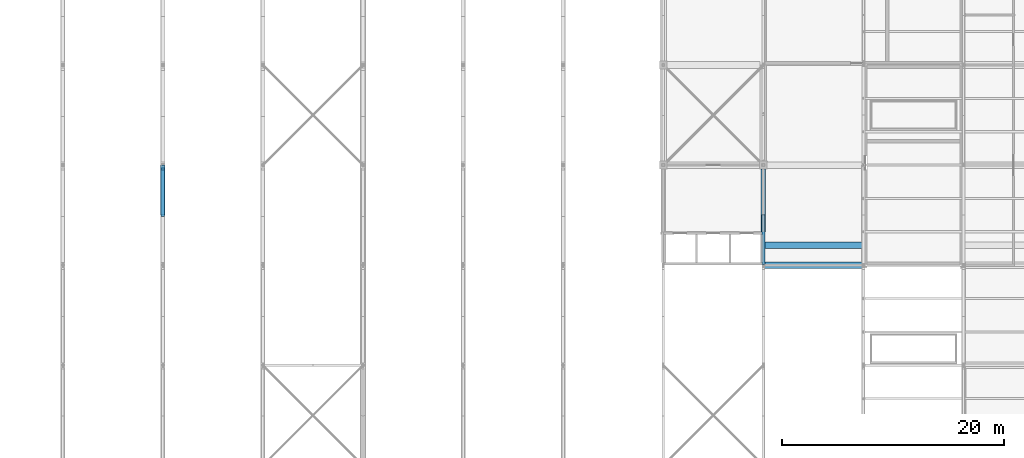
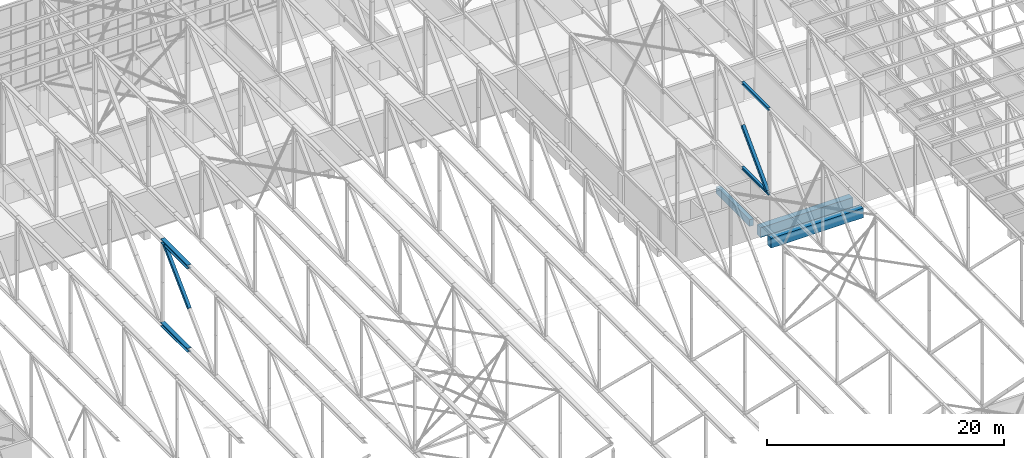
# One storey, part 75 of 646: 6 members, 3 beams.
"""IFC4 building model written with IfcOpenShell, lengths in metres."""

from ifc_helpers import new_model, si_unit, direction, frame, origin, origin_2d, place, context, subcontext, project, spatial, rectangle, hollow_rectangle, i_section, extrude, material, material_profile, profile_set, type_object, element, save


model = new_model("IFC4")

# Units and contexts
model_context = context("Model", 3, precision=1e-05, world=origin(), true_north=direction((0.0, 1.0)))
body_context = subcontext(model_context, "Body", "Model", "MODEL_VIEW")
ifc_project = project(units=[si_unit("LENGTHUNIT", "METRE"), si_unit("AREAUNIT", "SQUARE_METRE"), si_unit("VOLUMEUNIT", "CUBIC_METRE"), si_unit("PLANEANGLEUNIT", "RADIAN"), si_unit("MASSUNIT", "GRAM", prefix="KILO")], contexts=[model_context])

# Site, building, storey
site_placement = place(None, origin())
site = spatial("IfcSite", under=ifc_project, at=site_placement, CompositionType="ELEMENT")
building_placement = place(site_placement, origin())
building = spatial("IfcBuilding", under=site, at=building_placement, Name="Silverbay Arena", CompositionType="ELEMENT")
storey_placement = place(building_placement, frame((0.0, 0.0, 33.5)))
storey = spatial("IfcBuildingStorey", under=building, at=storey_placement, Name="L05", CompositionType="ELEMENT", Elevation=33.5)

# Members
ifc_material_1 = material(Name="Steel S355", Category="steel")
ifc_material_profile_1 = material_profile(ifc_material_1, i_section(OverallWidth=0.403076171875, OverallDepth=0.406494140625, WebThickness=0.026611328125, FlangeThickness=0.04296875, at=origin_2d()), Name="UC 356x406x340")
ifc_profile_set_1 = profile_set([ifc_material_profile_1], Name="Steel S355")
member_type_1 = type_object("IfcMemberType", Name="Main-span bottom chord UC 356x406x340", PredefinedType="CHORD", material=ifc_profile_set_1)
member_1_placement = place(storey_placement, frame((117.0, 103.5, 4.203125), z_axis=(0.0, 1.0, 0.0), x_axis=(-1.0, 0.0, 0.0)))
element("IfcMember", 1, at=member_1_placement, inside=storey, type_object=member_type_1, Name="ROOF TRUSS 14 bottom chord 11b", PredefinedType="CHORD", context=body_context, shape_type="SweptSolid", body=[
    extrude(i_section(OverallWidth=0.403076171875, OverallDepth=0.406494140625, WebThickness=0.026611328125, FlangeThickness=0.04296875, at=origin_2d()), origin(), (0.0, 0.0, 1.0), 4.5),
])
ifc_material_2 = material(Name="Steel S355", Category="steel")
ifc_material_profile_2 = material_profile(ifc_material_2, i_section(OverallWidth=0.403076171875, OverallDepth=0.406494140625, WebThickness=0.026611328125, FlangeThickness=0.04296875, at=origin_2d()), Name="UC 356x406x340")
ifc_profile_set_2 = profile_set([ifc_material_profile_2], Name="Steel S355")
member_type_2 = type_object("IfcMemberType", Name="Main-span top chord UC 356x406x340", PredefinedType="CHORD", material=ifc_profile_set_2)
member_2_placement = place(storey_placement, frame((117.0, 103.5, 12.796875), z_axis=(0.0, 1.0, 0.0), x_axis=(-1.0, 0.0, 0.0)))
element("IfcMember", 2, at=member_2_placement, inside=storey, type_object=member_type_2, Name="ROOF TRUSS 14 top chord 11b", PredefinedType="CHORD", context=body_context, shape_type="SweptSolid", body=[
    extrude(i_section(OverallWidth=0.403076171875, OverallDepth=0.406494140625, WebThickness=0.026611328125, FlangeThickness=0.04296875, at=origin_2d()), origin(), (0.0, 0.0, 1.0), 4.5),
])
ifc_material_3 = material(Name="Steel S355", Category="steel")
ifc_material_profile_3 = material_profile(ifc_material_3, hollow_rectangle(XDim=0.300048828125, YDim=0.300048828125, WallThickness=0.012451171875, at=origin_2d()), Name="SHS 300x300x12.5")
ifc_profile_set_3 = profile_set([ifc_material_profile_3], Name="Steel S355")
member_type_3 = type_object("IfcMemberType", Name="Main-span truss diagonal SHS 300x300x12.5", PredefinedType="BRACE", material=ifc_profile_set_3)
member_3_placement = place(storey_placement, frame((117.0, 107.652099609375, 12.593505859375), z_axis=(0.0, -0.712752446816, -0.701415675301), x_axis=(1.0, 0.0, 0.0)))
element("IfcMember", 3, at=member_3_placement, inside=storey, type_object=member_type_3, Name="ROOF TRUSS 14 diagonal 11a", PredefinedType="BRACE", context=body_context, shape_type="SweptSolid", body=[
    extrude(hollow_rectangle(XDim=0.300048828125, YDim=0.300048828125, WallThickness=0.012451171875, at=origin_2d()), origin(), (0.0, 0.0, 1.0), 5.836181640625),
])
ifc_material_4 = material(Name="Steel S355", Category="steel")
ifc_material_profile_4 = material_profile(ifc_material_4, i_section(OverallWidth=0.254638671875, OverallDepth=0.254150390625, WebThickness=0.008544921875, FlangeThickness=0.01416015625, at=origin_2d()), Name="UC 254x254x73")
ifc_profile_set_4 = profile_set([ifc_material_profile_4], Name="Steel S355")
member_type_4 = type_object("IfcMemberType", Name="Medium-span bottom chord UC 254x254x73", PredefinedType="CHORD", material=ifc_profile_set_4)
member_4_placement = place(storey_placement, frame((171.0, 99.0, 4.126953125), z_axis=(0.0, 1.0, 0.0), x_axis=(-1.0, 0.0, 0.0)))
element("IfcMember", 4, at=member_4_placement, inside=storey, type_object=member_type_4, Name="ROOF TRUSS 20 bottom chord 11a", PredefinedType="CHORD", context=body_context, shape_type="SweptSolid", body=[
    extrude(i_section(OverallWidth=0.254638671875, OverallDepth=0.254150390625, WebThickness=0.008544921875, FlangeThickness=0.01416015625, at=origin_2d()), origin(), (0.0, 0.0, 1.0), 4.5),
])
ifc_material_5 = material(Name="Steel S355", Category="steel")
ifc_material_profile_5 = material_profile(ifc_material_5, i_section(OverallWidth=0.254638671875, OverallDepth=0.254150390625, WebThickness=0.008544921875, FlangeThickness=0.01416015625, at=origin_2d()), Name="UC 254x254x73")
ifc_profile_set_5 = profile_set([ifc_material_profile_5], Name="Steel S355")
member_type_5 = type_object("IfcMemberType", Name="Medium-span top chord UC 254x254x73", PredefinedType="CHORD", material=ifc_profile_set_5)
member_5_placement = place(storey_placement, frame((171.0, 99.0, 12.873046875), z_axis=(0.0, 1.0, 0.0), x_axis=(-1.0, 0.0, 0.0)))
element("IfcMember", 5, at=member_5_placement, inside=storey, type_object=member_type_5, Name="ROOF TRUSS 20 top chord 11a", PredefinedType="CHORD", context=body_context, shape_type="SweptSolid", body=[
    extrude(i_section(OverallWidth=0.254638671875, OverallDepth=0.254150390625, WebThickness=0.008544921875, FlangeThickness=0.01416015625, at=origin_2d()), origin(), (0.0, 0.0, 1.0), 4.5),
])
ifc_material_6 = material(Name="Steel S355", Category="steel")
ifc_material_profile_6 = material_profile(ifc_material_6, hollow_rectangle(XDim=0.300048828125, YDim=0.300048828125, WallThickness=0.012451171875, at=origin_2d()), Name="SHS 300x300x12.5")
ifc_profile_set_6 = profile_set([ifc_material_profile_6], Name="Steel S355")
member_type_6 = type_object("IfcMemberType", Name="Medium-span truss diagonal SHS 300x300x12.5", PredefinedType="BRACE", material=ifc_profile_set_6)
member_6_placement = place(storey_placement, frame((171.0, 103.492431640625, 8.5), z_axis=(0.0, -0.700176070598, -0.713970216579), x_axis=(1.0, 0.0, 0.0)))
element("IfcMember", 6, at=member_6_placement, inside=storey, type_object=member_type_6, Name="ROOF TRUSS 20 diagonal 11b", PredefinedType="BRACE", context=body_context, shape_type="SweptSolid", body=[
    extrude(hollow_rectangle(XDim=0.300048828125, YDim=0.300048828125, WallThickness=0.012451171875, at=origin_2d()), origin(), (0.0, 0.0, 1.0), 5.94677734375),
])

# Beams
ifc_material_7 = material(Name="Concrete Grade C45", Category="concrete")
ifc_material_profile_7 = material_profile(ifc_material_7, rectangle(XDim=0.39990234375, YDim=0.699951171875, at=origin_2d()), Name="RC 400x700")
ifc_profile_set_7 = profile_set([ifc_material_profile_7], Name="Concrete Grade C45")
beam_type_1 = type_object("IfcBeamType", Name="RC beam 400x700", PredefinedType="BEAM", material=ifc_profile_set_7)
beam_placement = place(storey_placement, frame((171.0, 102.0, -0.64990234375), z_axis=(0.0, 1.0, 0.0), x_axis=(-1.0, 0.0, 0.0)))
element("IfcBeam", 7, at=beam_placement, inside=storey, type_object=beam_type_1, Name="Floor beam L05 134", PredefinedType="BEAM", context=body_context, shape_type="SweptSolid", body=[
    extrude(rectangle(XDim=0.39990234375, YDim=0.699951171875, at=origin_2d()), origin(), (0.0, 0.0, 1.0), 5.64990234375),
])
ifc_material_8 = material(Name="Concrete Grade C45", Category="concrete")
ifc_material_profile_8 = material_profile(ifc_material_8, rectangle(XDim=0.60009765625, YDim=1.0, at=origin_2d()), Name="RC 600x1000")
ifc_profile_set_8 = profile_set([ifc_material_profile_8], Name="Concrete Grade C45")
beam_type_2 = type_object("IfcBeamType", Name="RC beam 600x1000", PredefinedType="BEAM", material=ifc_profile_set_8)
for number, where, z_axis, x_axis, name in (
    (8, (171.0, 99.0, -0.800048828125), (1.0, 0.0, 0.0), (0.0, 1.0, 0.0), "Floor beam L05 041"),
    (9, (171.0, 100.800048828125, -0.800048828125), (1.0, 0.0, 0.0), (0.0, 1.0, 0.0), "Floor beam L05 045"),
):
    element("IfcBeam", number, at=place(storey_placement, frame(where, z_axis=z_axis, x_axis=x_axis)), inside=storey, type_object=beam_type_2, Name=name, PredefinedType="BEAM", context=body_context, shape_type="SweptSolid", body=[
        extrude(rectangle(XDim=0.60009765625, YDim=1.0, at=origin_2d()), origin(), (0.0, 0.0, 1.0), 9.0),
    ])

save(model, "model.ifc")
